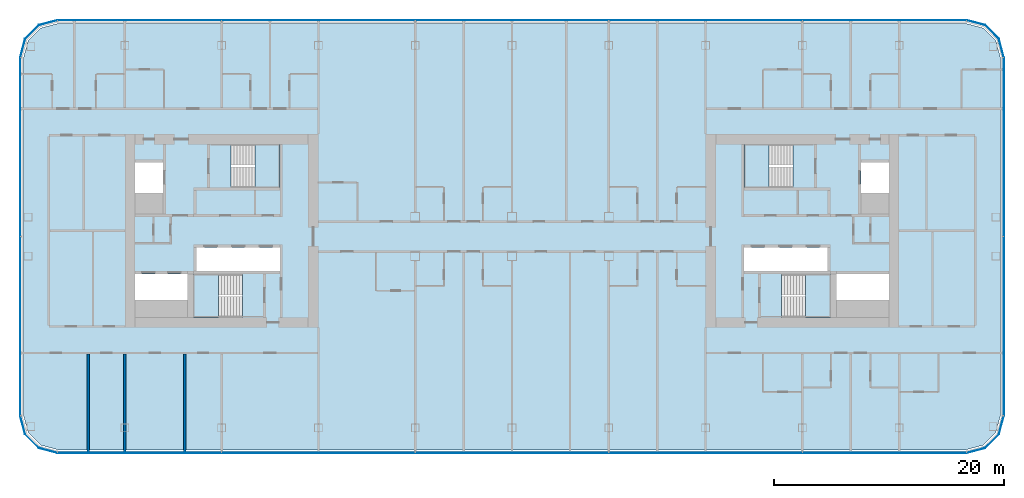
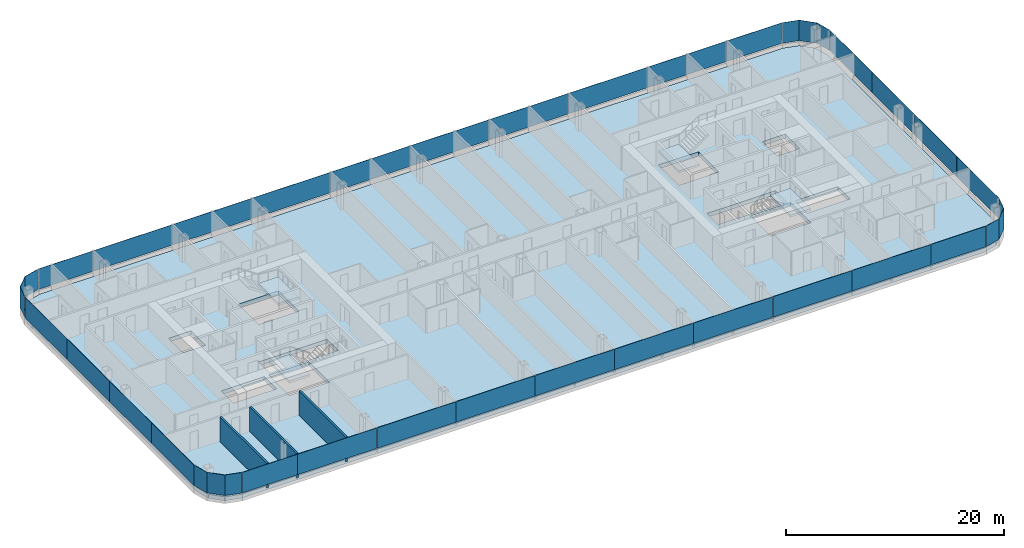
# One storey, part 11 of 26: 32 plates, 5 slabs, 3 walls, 12 elements without a shape of their own.
"""IFC4 building model written with IfcOpenShell, lengths in metres."""

from ifc_helpers import new_model, si_unit, direction, frame, frame_2d, origin, origin_2d, place, context, subcontext, project, spatial, polyline, rectangle, outline, extrude, material, layer, layer_set, type_object, element, aggregate, save


model = new_model("IFC4")

# Units and contexts
model_context = context("Model", 3, precision=1e-05, world=origin(), true_north=direction((0.0, 1.0)))
body_context = subcontext(model_context, "Body", "Model", "MODEL_VIEW")
ifc_project = project(units=[si_unit("LENGTHUNIT", "METRE"), si_unit("AREAUNIT", "SQUARE_METRE"), si_unit("VOLUMEUNIT", "CUBIC_METRE"), si_unit("PLANEANGLEUNIT", "RADIAN"), si_unit("MASSUNIT", "GRAM", prefix="KILO")], contexts=[model_context])

# Site, building, storey
site_placement = place(None, origin())
site = spatial("IfcSite", under=ifc_project, at=site_placement, CompositionType="ELEMENT")
building_placement = place(site_placement, origin())
building = spatial("IfcBuilding", under=site, at=building_placement, Name="Hakoniwa Tower and Hamabe Station Hall", CompositionType="ELEMENT")
storey_placement = place(building_placement, frame((0.0, 0.0, 153.39990234375)))
storey = spatial("IfcBuildingStorey", under=building, at=storey_placement, Name="L43", CompositionType="ELEMENT", Elevation=153.39990234375)

# Stair, slab
ifc_material_1 = material(Name="Concrete C40", Category="concrete")
stair_type = type_object("IfcStairType", Name="ESCAPE STAIR 1800", PredefinedType="HALF_TURN_STAIR", material=ifc_material_1)
stair_1_placement = place(storey_placement, origin())
stair_1 = element("IfcStair", 1, at=stair_1_placement, inside=storey, type_object=stair_type, Name="Escape stair ST-1 L43", PredefinedType="HALF_TURN_STAIR")
ifc_material_2 = material(Name="Concrete C40", Category="concrete")
ifc_layer_1 = layer(ifc_material_2, 0.25)
ifc_layer_set_1 = layer_set([ifc_layer_1], Name="CORE STAIR LANDING 250")
slab_type_1 = type_object("IfcSlabType", Name="CORE STAIR LANDING 250", PredefinedType="LANDING", material=ifc_layer_set_1)
slab_1_placement = place(storey_placement, frame((0.0, 0.0, 1.35009765625)))
slab_1 = element("IfcSlab", 2, at=slab_1_placement, type_object=slab_type_1, Name="ST-1 landing 1", PredefinedType="LANDING", context=body_context, shape_type="SweptSolid", body=[
    extrude(outline(polyline([(-22.320068359375, 3.75), (-20.14990234375, 3.75), (-20.14990234375, 7.5), (-22.320068359375, 7.5), (-22.320068359375, 3.75)])), origin(), (0.0, 0.0, 1.0), 0.25),
])
aggregate(stair_1, [slab_1])

stair_2_placement = place(storey_placement, origin())
stair_2 = element("IfcStair", 3, at=stair_2_placement, inside=storey, type_object=stair_type, Name="Escape stair ST-2 L43", PredefinedType="HALF_TURN_STAIR")
slab_2_placement = place(storey_placement, frame((0.0, 0.0, 1.35009765625)))
slab_2 = element("IfcSlab", 4, at=slab_2_placement, type_object=slab_type_1, Name="ST-2 landing 1", PredefinedType="LANDING", context=body_context, shape_type="SweptSolid", body=[
    extrude(outline(polyline([(-25.47998046875, -7.5), (-27.64990234375, -7.5), (-27.64990234375, -3.75), (-25.47998046875, -3.75), (-25.47998046875, -7.5)])), origin(), (0.0, 0.0, 1.0), 0.25),
])
aggregate(stair_2, [slab_2])

stair_3_placement = place(storey_placement, origin())
stair_3 = element("IfcStair", 5, at=stair_3_placement, inside=storey, type_object=stair_type, Name="Escape stair ST-3 L43", PredefinedType="HALF_TURN_STAIR")
slab_3_placement = place(storey_placement, frame((0.0, 0.0, 1.35009765625)))
slab_3 = element("IfcSlab", 6, at=slab_3_placement, type_object=slab_type_1, Name="ST-3 landing 1", PredefinedType="LANDING", context=body_context, shape_type="SweptSolid", body=[
    extrude(outline(polyline([(22.320068359375, 3.75), (20.14990234375, 3.75), (20.14990234375, 7.5), (22.320068359375, 7.5), (22.320068359375, 3.75)])), origin(), (0.0, 0.0, 1.0), 0.25),
])
aggregate(stair_3, [slab_3])

stair_4_placement = place(storey_placement, origin())
stair_4 = element("IfcStair", 7, at=stair_4_placement, inside=storey, type_object=stair_type, Name="Escape stair ST-4 L43", PredefinedType="HALF_TURN_STAIR")
slab_4_placement = place(storey_placement, frame((0.0, 0.0, 1.35009765625)))
slab_4 = element("IfcSlab", 8, at=slab_4_placement, type_object=slab_type_1, Name="ST-4 landing 1", PredefinedType="LANDING", context=body_context, shape_type="SweptSolid", body=[
    extrude(outline(polyline([(25.47998046875, -7.5), (27.64990234375, -7.5), (27.64990234375, -3.75), (25.47998046875, -3.75), (25.47998046875, -7.5)])), origin(), (0.0, 0.0, 1.0), 0.25),
])
aggregate(stair_4, [slab_4])

# Curtain wall, plates
ifc_material_3 = material(Name="Dark low-e laminated glass", Category="glass")
ifc_layer_2 = layer(ifc_material_3, 0.199951171875)
ifc_layer_set_2 = layer_set([ifc_layer_2], Name="CW-1 UNITISED GUEST")
curtain_wall_type = type_object("IfcCurtainWallType", Name="CW-1 UNITISED GUEST", PredefinedType="NOTDEFINED", material=ifc_layer_set_2)
curtain_wall_1_placement = place(storey_placement, origin())
curtain_wall_1 = element("IfcCurtainWall", 9, at=curtain_wall_1_placement, inside=storey, type_object=curtain_wall_type, Name="CW-1 curtain wall", PredefinedType="NOTDEFINED")
ifc_material_4 = material(Name="Dark low-e laminated glass", Category="glass")
ifc_layer_3 = layer(ifc_material_4, 0.028076171875)
ifc_layer_set_3 = layer_set([ifc_layer_3], Name="CW-1 GLASS UNIT")
plate_type = type_object("IfcPlateType", Name="CW-1 GLASS UNIT", PredefinedType="CURTAIN_PANEL", material=ifc_layer_set_3)
plate_1_placement = place(storey_placement, frame((42.68603515625, -12.154541015625, 0.35009765625), z_axis=(0.0, 0.0, 1.0), x_axis=(0.0, 1.0, 0.0)))
plate_1 = element("IfcPlate", 10, at=plate_1_placement, type_object=plate_type, Name="CW-1 glass unit", PredefinedType="CURTAIN_PANEL", context=body_context, shape_type="SweptSolid", body=[
    extrude(rectangle(XDim=7.749755859375, YDim=0.028076171875, at=origin_2d()), origin(), (0.0, 0.0, 1.0), 2.300048828125),
])
plate_2_placement = place(storey_placement, frame((42.68603515625, -4.384765625, 0.35009765625), z_axis=(0.0, 0.0, 1.0), x_axis=(0.0, 1.0, 0.0)))
plate_2 = element("IfcPlate", 11, at=plate_2_placement, type_object=plate_type, Name="CW-1 glass unit", PredefinedType="CURTAIN_PANEL", context=body_context, shape_type="SweptSolid", body=[
    extrude(rectangle(XDim=7.749755859375, YDim=0.028076171875, at=origin_2d()), origin(), (0.0, 0.0, 1.0), 2.300048828125),
])
plate_3_placement = place(storey_placement, frame((42.68603515625, 3.384765625, 0.35009765625), z_axis=(0.0, 0.0, 1.0), x_axis=(0.0, 1.0, 0.0)))
plate_3 = element("IfcPlate", 12, at=plate_3_placement, type_object=plate_type, Name="CW-1 glass unit", PredefinedType="CURTAIN_PANEL", context=body_context, shape_type="SweptSolid", body=[
    extrude(rectangle(XDim=7.749755859375, YDim=0.028076171875, at=origin_2d()), origin(), (0.0, 0.0, 1.0), 2.300048828125),
])
plate_4_placement = place(storey_placement, frame((42.68603515625, 11.154541015625, 0.35009765625), z_axis=(0.0, 0.0, 1.0), x_axis=(0.0, 1.0, 0.0)))
plate_4 = element("IfcPlate", 13, at=plate_4_placement, type_object=plate_type, Name="CW-1 glass unit", PredefinedType="CURTAIN_PANEL", context=body_context, shape_type="SweptSolid", body=[
    extrude(rectangle(XDim=7.749755859375, YDim=0.028076171875, at=origin_2d()), origin(), (0.0, 0.0, 1.0), 2.300048828125),
])
aggregate(curtain_wall_1, [plate_1, plate_2, plate_3, plate_4])

# Curtain wall, plate
curtain_wall_2_placement = place(storey_placement, origin())
curtain_wall_2 = element("IfcCurtainWall", 14, at=curtain_wall_2_placement, inside=storey, type_object=curtain_wall_type, Name="CW-1 curtain wall", PredefinedType="NOTDEFINED")
plate_5_placement = place(storey_placement, frame((0.0, 0.0, 0.35009765625)))
plate_5 = element("IfcPlate", 15, at=plate_5_placement, type_object=plate_type, Name="CW-1 curved corner unit", PredefinedType="CURTAIN_PANEL", context=body_context, shape_type="SweptSolid", body=[
    extrude(outline(polyline([(42.689697265625, 15.078125), (42.26708984375, 16.6552734375), (41.05517578125, 17.866943359375), (39.47802734375, 18.28955078125), (39.470947265625, 18.2626953125), (41.040771484375, 17.842041015625), (42.241943359375, 16.640869140625), (42.66259765625, 15.07080078125), (42.689697265625, 15.078125)])), origin(), (0.0, 0.0, 1.0), 2.300048828125),
])
aggregate(curtain_wall_2, [plate_5])

# Curtain wall, plates
curtain_wall_3_placement = place(storey_placement, origin())
curtain_wall_3 = element("IfcCurtainWall", 16, at=curtain_wall_3_placement, inside=storey, type_object=curtain_wall_type, Name="CW-1 curtain wall", PredefinedType="NOTDEFINED")
plate_6_placement = place(storey_placement, frame((36.519775390625, 18.285888671875, 0.35009765625), z_axis=(0.0, 0.0, 1.0), x_axis=(-1.0, 0.0, 0.0)))
plate_6 = element("IfcPlate", 17, at=plate_6_placement, type_object=plate_type, Name="CW-1 glass unit", PredefinedType="CURTAIN_PANEL", context=body_context, shape_type="SweptSolid", body=[
    extrude(rectangle(XDim=5.819580078125, YDim=0.028076171875, at=origin_2d()), origin(), (0.0, 0.0, 1.0), 2.300048828125),
])
plate_7_placement = place(storey_placement, frame((29.39990234375, 18.285888671875, 0.35009765625), z_axis=(0.0, 0.0, 1.0), x_axis=(-1.0, 0.0, 0.0)))
plate_7 = element("IfcPlate", 18, at=plate_7_placement, type_object=plate_type, Name="CW-1 glass unit", PredefinedType="CURTAIN_PANEL", context=body_context, shape_type="SweptSolid", body=[
    extrude(rectangle(XDim=8.3798828125, YDim=0.028076171875, at=origin_2d()), origin(), (0.0, 0.0, 1.0), 2.300048828125),
])
plate_8_placement = place(storey_placement, frame((21.0, 18.285888671875, 0.35009765625), z_axis=(0.0, 0.0, 1.0), x_axis=(-1.0, 0.0, 0.0)))
plate_8 = element("IfcPlate", 19, at=plate_8_placement, type_object=plate_type, Name="CW-1 glass unit", PredefinedType="CURTAIN_PANEL", context=body_context, shape_type="SweptSolid", body=[
    extrude(rectangle(XDim=8.3798828125, YDim=0.028076171875, at=origin_2d()), origin(), (0.0, 0.0, 1.0), 2.300048828125),
])
plate_9_placement = place(storey_placement, frame((12.60009765625, 18.285888671875, 0.35009765625), z_axis=(0.0, 0.0, 1.0), x_axis=(-1.0, 0.0, 0.0)))
plate_9 = element("IfcPlate", 20, at=plate_9_placement, type_object=plate_type, Name="CW-1 glass unit", PredefinedType="CURTAIN_PANEL", context=body_context, shape_type="SweptSolid", body=[
    extrude(rectangle(XDim=8.3798828125, YDim=0.028076171875, at=origin_2d()), origin(), (0.0, 0.0, 1.0), 2.300048828125),
])
plate_10_placement = place(storey_placement, frame((4.199951171875, 18.285888671875, 0.35009765625), z_axis=(0.0, 0.0, 1.0), x_axis=(-1.0, 0.0, 0.0)))
plate_10 = element("IfcPlate", 21, at=plate_10_placement, type_object=plate_type, Name="CW-1 glass unit", PredefinedType="CURTAIN_PANEL", context=body_context, shape_type="SweptSolid", body=[
    extrude(rectangle(XDim=8.3798828125, YDim=0.028076171875, at=origin_2d()), origin(), (0.0, 0.0, 1.0), 2.300048828125),
])
plate_11_placement = place(storey_placement, frame((-4.199951171875, 18.285888671875, 0.35009765625), z_axis=(0.0, 0.0, 1.0), x_axis=(-1.0, 0.0, 0.0)))
plate_11 = element("IfcPlate", 22, at=plate_11_placement, type_object=plate_type, Name="CW-1 glass unit", PredefinedType="CURTAIN_PANEL", context=body_context, shape_type="SweptSolid", body=[
    extrude(rectangle(XDim=8.3798828125, YDim=0.028076171875, at=origin_2d()), origin(), (0.0, 0.0, 1.0), 2.300048828125),
])
plate_12_placement = place(storey_placement, frame((-12.60009765625, 18.285888671875, 0.35009765625), z_axis=(0.0, 0.0, 1.0), x_axis=(-1.0, 0.0, 0.0)))
plate_12 = element("IfcPlate", 23, at=plate_12_placement, type_object=plate_type, Name="CW-1 glass unit", PredefinedType="CURTAIN_PANEL", context=body_context, shape_type="SweptSolid", body=[
    extrude(rectangle(XDim=8.3798828125, YDim=0.028076171875, at=origin_2d()), origin(), (0.0, 0.0, 1.0), 2.300048828125),
])
plate_13_placement = place(storey_placement, frame((-21.0, 18.285888671875, 0.35009765625), z_axis=(0.0, 0.0, 1.0), x_axis=(-1.0, 0.0, 0.0)))
plate_13 = element("IfcPlate", 24, at=plate_13_placement, type_object=plate_type, Name="CW-1 glass unit", PredefinedType="CURTAIN_PANEL", context=body_context, shape_type="SweptSolid", body=[
    extrude(rectangle(XDim=8.3798828125, YDim=0.028076171875, at=origin_2d()), origin(), (0.0, 0.0, 1.0), 2.300048828125),
])
plate_14_placement = place(storey_placement, frame((-29.39990234375, 18.285888671875, 0.35009765625), z_axis=(0.0, 0.0, 1.0), x_axis=(-1.0, 0.0, 0.0)))
plate_14 = element("IfcPlate", 25, at=plate_14_placement, type_object=plate_type, Name="CW-1 glass unit", PredefinedType="CURTAIN_PANEL", context=body_context, shape_type="SweptSolid", body=[
    extrude(rectangle(XDim=8.3798828125, YDim=0.028076171875, at=origin_2d()), origin(), (0.0, 0.0, 1.0), 2.300048828125),
])
plate_15_placement = place(storey_placement, frame((-36.519775390625, 18.285888671875, 0.35009765625), z_axis=(0.0, 0.0, 1.0), x_axis=(-1.0, 0.0, 0.0)))
plate_15 = element("IfcPlate", 26, at=plate_15_placement, type_object=plate_type, Name="CW-1 glass unit", PredefinedType="CURTAIN_PANEL", context=body_context, shape_type="SweptSolid", body=[
    extrude(rectangle(XDim=5.819580078125, YDim=0.028076171875, at=origin_2d()), origin(), (0.0, 0.0, 1.0), 2.300048828125),
])
aggregate(curtain_wall_3, [plate_6, plate_7, plate_8, plate_9, plate_10, plate_11, plate_12, plate_13, plate_14, plate_15])

# Curtain wall, plate
curtain_wall_4_placement = place(storey_placement, origin())
curtain_wall_4 = element("IfcCurtainWall", 27, at=curtain_wall_4_placement, inside=storey, type_object=curtain_wall_type, Name="CW-1 curtain wall", PredefinedType="NOTDEFINED")
plate_16_placement = place(storey_placement, frame((0.0, 0.0, 0.35009765625)))
plate_16 = element("IfcPlate", 28, at=plate_16_placement, type_object=plate_type, Name="CW-1 curved corner unit", PredefinedType="CURTAIN_PANEL", context=body_context, shape_type="SweptSolid", body=[
    extrude(outline(polyline([(-39.47802734375, 18.28955078125), (-41.05517578125, 17.866943359375), (-42.26708984375, 16.6552734375), (-42.689697265625, 15.078125), (-42.66259765625, 15.07080078125), (-42.241943359375, 16.640869140625), (-41.040771484375, 17.842041015625), (-39.470947265625, 18.2626953125), (-39.47802734375, 18.28955078125)])), origin(), (0.0, 0.0, 1.0), 2.300048828125),
])
aggregate(curtain_wall_4, [plate_16])

# Curtain wall, plates
curtain_wall_5_placement = place(storey_placement, origin())
curtain_wall_5 = element("IfcCurtainWall", 29, at=curtain_wall_5_placement, inside=storey, type_object=curtain_wall_type, Name="CW-1 curtain wall", PredefinedType="NOTDEFINED")
plate_17_placement = place(storey_placement, frame((-42.68603515625, 11.154541015625, 0.35009765625), z_axis=(0.0, 0.0, 1.0), x_axis=(0.0, -1.0, 0.0)))
plate_17 = element("IfcPlate", 30, at=plate_17_placement, type_object=plate_type, Name="CW-1 glass unit", PredefinedType="CURTAIN_PANEL", context=body_context, shape_type="SweptSolid", body=[
    extrude(rectangle(XDim=7.749755859375, YDim=0.028076171875, at=origin_2d()), origin(), (0.0, 0.0, 1.0), 2.300048828125),
])
plate_18_placement = place(storey_placement, frame((-42.68603515625, 3.384765625, 0.35009765625), z_axis=(0.0, 0.0, 1.0), x_axis=(0.0, -1.0, 0.0)))
plate_18 = element("IfcPlate", 31, at=plate_18_placement, type_object=plate_type, Name="CW-1 glass unit", PredefinedType="CURTAIN_PANEL", context=body_context, shape_type="SweptSolid", body=[
    extrude(rectangle(XDim=7.749755859375, YDim=0.028076171875, at=origin_2d()), origin(), (0.0, 0.0, 1.0), 2.300048828125),
])
plate_19_placement = place(storey_placement, frame((-42.68603515625, -4.384765625, 0.35009765625), z_axis=(0.0, 0.0, 1.0), x_axis=(0.0, -1.0, 0.0)))
plate_19 = element("IfcPlate", 32, at=plate_19_placement, type_object=plate_type, Name="CW-1 glass unit", PredefinedType="CURTAIN_PANEL", context=body_context, shape_type="SweptSolid", body=[
    extrude(rectangle(XDim=7.749755859375, YDim=0.028076171875, at=origin_2d()), origin(), (0.0, 0.0, 1.0), 2.300048828125),
])
plate_20_placement = place(storey_placement, frame((-42.68603515625, -12.154541015625, 0.35009765625), z_axis=(0.0, 0.0, 1.0), x_axis=(0.0, -1.0, 0.0)))
plate_20 = element("IfcPlate", 33, at=plate_20_placement, type_object=plate_type, Name="CW-1 glass unit", PredefinedType="CURTAIN_PANEL", context=body_context, shape_type="SweptSolid", body=[
    extrude(rectangle(XDim=7.749755859375, YDim=0.028076171875, at=origin_2d()), origin(), (0.0, 0.0, 1.0), 2.300048828125),
])
aggregate(curtain_wall_5, [plate_17, plate_18, plate_19, plate_20])

# Curtain wall, plate
curtain_wall_6_placement = place(storey_placement, origin())
curtain_wall_6 = element("IfcCurtainWall", 34, at=curtain_wall_6_placement, inside=storey, type_object=curtain_wall_type, Name="CW-1 curtain wall", PredefinedType="NOTDEFINED")
plate_21_placement = place(storey_placement, frame((0.0, 0.0, 0.35009765625)))
plate_21 = element("IfcPlate", 35, at=plate_21_placement, type_object=plate_type, Name="CW-1 curved corner unit", PredefinedType="CURTAIN_PANEL", context=body_context, shape_type="SweptSolid", body=[
    extrude(outline(polyline([(-42.689697265625, -16.078125), (-42.26708984375, -17.6552734375), (-41.05517578125, -18.866943359375), (-39.47802734375, -19.28955078125), (-39.470947265625, -19.2626953125), (-41.040771484375, -18.842041015625), (-42.241943359375, -17.640869140625), (-42.66259765625, -16.07080078125), (-42.689697265625, -16.078125)])), origin(), (0.0, 0.0, 1.0), 2.300048828125),
])
aggregate(curtain_wall_6, [plate_21])

# Curtain wall, plates
curtain_wall_7_placement = place(storey_placement, origin())
curtain_wall_7 = element("IfcCurtainWall", 36, at=curtain_wall_7_placement, inside=storey, type_object=curtain_wall_type, Name="CW-1 curtain wall", PredefinedType="NOTDEFINED")
plate_22_placement = place(storey_placement, frame((-36.519775390625, -19.285888671875, 0.35009765625), z_axis=(0.0, 0.0, 1.0), x_axis=(1.0, 0.0, 0.0)))
plate_22 = element("IfcPlate", 37, at=plate_22_placement, type_object=plate_type, Name="CW-1 glass unit", PredefinedType="CURTAIN_PANEL", context=body_context, shape_type="SweptSolid", body=[
    extrude(rectangle(XDim=5.819580078125, YDim=0.028076171875, at=origin_2d()), origin(), (0.0, 0.0, 1.0), 2.300048828125),
])
plate_23_placement = place(storey_placement, frame((-29.39990234375, -19.285888671875, 0.35009765625), z_axis=(0.0, 0.0, 1.0), x_axis=(1.0, 0.0, 0.0)))
plate_23 = element("IfcPlate", 38, at=plate_23_placement, type_object=plate_type, Name="CW-1 glass unit", PredefinedType="CURTAIN_PANEL", context=body_context, shape_type="SweptSolid", body=[
    extrude(rectangle(XDim=8.3798828125, YDim=0.028076171875, at=origin_2d()), origin(), (0.0, 0.0, 1.0), 2.300048828125),
])
plate_24_placement = place(storey_placement, frame((-21.0, -19.285888671875, 0.35009765625), z_axis=(0.0, 0.0, 1.0), x_axis=(1.0, 0.0, 0.0)))
plate_24 = element("IfcPlate", 39, at=plate_24_placement, type_object=plate_type, Name="CW-1 glass unit", PredefinedType="CURTAIN_PANEL", context=body_context, shape_type="SweptSolid", body=[
    extrude(rectangle(XDim=8.3798828125, YDim=0.028076171875, at=origin_2d()), origin(), (0.0, 0.0, 1.0), 2.300048828125),
])
plate_25_placement = place(storey_placement, frame((-12.60009765625, -19.285888671875, 0.35009765625), z_axis=(0.0, 0.0, 1.0), x_axis=(1.0, 0.0, 0.0)))
plate_25 = element("IfcPlate", 40, at=plate_25_placement, type_object=plate_type, Name="CW-1 glass unit", PredefinedType="CURTAIN_PANEL", context=body_context, shape_type="SweptSolid", body=[
    extrude(rectangle(XDim=8.3798828125, YDim=0.028076171875, at=origin_2d()), origin(), (0.0, 0.0, 1.0), 2.300048828125),
])
plate_26_placement = place(storey_placement, frame((-4.199951171875, -19.285888671875, 0.35009765625), z_axis=(0.0, 0.0, 1.0), x_axis=(1.0, 0.0, 0.0)))
plate_26 = element("IfcPlate", 41, at=plate_26_placement, type_object=plate_type, Name="CW-1 glass unit", PredefinedType="CURTAIN_PANEL", context=body_context, shape_type="SweptSolid", body=[
    extrude(rectangle(XDim=8.3798828125, YDim=0.028076171875, at=origin_2d()), origin(), (0.0, 0.0, 1.0), 2.300048828125),
])
plate_27_placement = place(storey_placement, frame((4.199951171875, -19.285888671875, 0.35009765625), z_axis=(0.0, 0.0, 1.0), x_axis=(1.0, 0.0, 0.0)))
plate_27 = element("IfcPlate", 42, at=plate_27_placement, type_object=plate_type, Name="CW-1 glass unit", PredefinedType="CURTAIN_PANEL", context=body_context, shape_type="SweptSolid", body=[
    extrude(rectangle(XDim=8.3798828125, YDim=0.028076171875, at=origin_2d()), origin(), (0.0, 0.0, 1.0), 2.300048828125),
])
plate_28_placement = place(storey_placement, frame((12.60009765625, -19.285888671875, 0.35009765625), z_axis=(0.0, 0.0, 1.0), x_axis=(1.0, 0.0, 0.0)))
plate_28 = element("IfcPlate", 43, at=plate_28_placement, type_object=plate_type, Name="CW-1 glass unit", PredefinedType="CURTAIN_PANEL", context=body_context, shape_type="SweptSolid", body=[
    extrude(rectangle(XDim=8.3798828125, YDim=0.028076171875, at=origin_2d()), origin(), (0.0, 0.0, 1.0), 2.300048828125),
])
plate_29_placement = place(storey_placement, frame((21.0, -19.285888671875, 0.35009765625), z_axis=(0.0, 0.0, 1.0), x_axis=(1.0, 0.0, 0.0)))
plate_29 = element("IfcPlate", 44, at=plate_29_placement, type_object=plate_type, Name="CW-1 glass unit", PredefinedType="CURTAIN_PANEL", context=body_context, shape_type="SweptSolid", body=[
    extrude(rectangle(XDim=8.3798828125, YDim=0.028076171875, at=origin_2d()), origin(), (0.0, 0.0, 1.0), 2.300048828125),
])
plate_30_placement = place(storey_placement, frame((29.39990234375, -19.285888671875, 0.35009765625), z_axis=(0.0, 0.0, 1.0), x_axis=(1.0, 0.0, 0.0)))
plate_30 = element("IfcPlate", 45, at=plate_30_placement, type_object=plate_type, Name="CW-1 glass unit", PredefinedType="CURTAIN_PANEL", context=body_context, shape_type="SweptSolid", body=[
    extrude(rectangle(XDim=8.3798828125, YDim=0.028076171875, at=origin_2d()), origin(), (0.0, 0.0, 1.0), 2.300048828125),
])
plate_31_placement = place(storey_placement, frame((36.519775390625, -19.285888671875, 0.35009765625), z_axis=(0.0, 0.0, 1.0), x_axis=(1.0, 0.0, 0.0)))
plate_31 = element("IfcPlate", 46, at=plate_31_placement, type_object=plate_type, Name="CW-1 glass unit", PredefinedType="CURTAIN_PANEL", context=body_context, shape_type="SweptSolid", body=[
    extrude(rectangle(XDim=5.819580078125, YDim=0.028076171875, at=origin_2d()), origin(), (0.0, 0.0, 1.0), 2.300048828125),
])
aggregate(curtain_wall_7, [plate_22, plate_23, plate_24, plate_25, plate_26, plate_27, plate_28, plate_29, plate_30, plate_31])

# Curtain wall, plate
curtain_wall_8_placement = place(storey_placement, origin())
curtain_wall_8 = element("IfcCurtainWall", 47, at=curtain_wall_8_placement, inside=storey, type_object=curtain_wall_type, Name="CW-1 curtain wall", PredefinedType="NOTDEFINED")
plate_32_placement = place(storey_placement, frame((0.0, 0.0, 0.35009765625)))
plate_32 = element("IfcPlate", 48, at=plate_32_placement, type_object=plate_type, Name="CW-1 curved corner unit", PredefinedType="CURTAIN_PANEL", context=body_context, shape_type="SweptSolid", body=[
    extrude(outline(polyline([(39.47802734375, -19.28955078125), (41.05517578125, -18.866943359375), (42.26708984375, -17.6552734375), (42.689697265625, -16.078125), (42.66259765625, -16.07080078125), (42.241943359375, -17.640869140625), (41.040771484375, -18.842041015625), (39.470947265625, -19.2626953125), (39.47802734375, -19.28955078125)])), origin(), (0.0, 0.0, 1.0), 2.300048828125),
])
aggregate(curtain_wall_8, [plate_32])

# Slab
ifc_material_5 = material(Name="Concrete C42", Category="concrete")
ifc_layer_4 = layer(ifc_material_5, 0.449951171875)
ifc_layer_set_4 = layer_set([ifc_layer_4], Name="PT FLAT PLATE 450")
slab_type_2 = type_object("IfcSlabType", Name="PT FLAT PLATE 450", PredefinedType="FLOOR", material=ifc_layer_set_4)
slab_5_placement = place(storey_placement, frame((0.0, 0.0, -0.449951171875)))
element("IfcSlab", 49, at=slab_5_placement, inside=storey, type_object=slab_type_2, Name="Floor slab L43", PredefinedType="FLOOR", context=body_context, shape_type="SweptSolid", body=[
    extrude(outline(polyline([(42.39990234375, -16.0), (42.39990234375, 15.0), (41.998046875, 16.5), (40.89990234375, 17.59814453125), (39.39990234375, 18.0), (-39.39990234375, 18.0), (-40.89990234375, 17.59814453125), (-41.998046875, 16.5), (-42.39990234375, 15.0), (-42.39990234375, -16.0), (-41.998046875, -17.5), (-40.89990234375, -18.59814453125), (-39.39990234375, -19.0), (39.39990234375, -19.0), (40.89990234375, -18.59814453125), (41.998046875, -17.5), (42.39990234375, -16.0)]), holes=[polyline([(-27.39990234375, -3.5), (-27.39990234375, -1.449951171875), (-20.14990234375, -1.449951171875), (-20.14990234375, -3.5), (-27.39990234375, -3.5)]), polyline([(-32.699951171875, 3.300048828125), (-32.699951171875, 5.949951171875), (-30.300048828125, 5.949951171875), (-30.300048828125, 3.300048828125), (-32.699951171875, 3.300048828125)]), polyline([(-32.699951171875, -6.0), (-32.699951171875, -3.75), (-28.14990234375, -3.75), (-28.14990234375, -6.0), (-32.699951171875, -6.0)]), polyline([(-24.389892578125, 3.75), (-24.389892578125, 7.5), (-20.14990234375, 7.5), (-20.14990234375, 3.75), (-24.389892578125, 3.75)]), polyline([(-27.64990234375, -7.5), (-27.64990234375, -3.75), (-23.409912109375, -3.75), (-23.409912109375, -7.5), (-27.64990234375, -7.5)]), polyline([(20.14990234375, -3.5), (20.14990234375, -1.449951171875), (27.39990234375, -1.449951171875), (27.39990234375, -3.5), (20.14990234375, -3.5)]), polyline([(30.300048828125, 3.300048828125), (30.300048828125, 5.949951171875), (32.699951171875, 5.949951171875), (32.699951171875, 3.300048828125), (30.300048828125, 3.300048828125)]), polyline([(28.14990234375, -6.0), (28.14990234375, -3.75), (32.699951171875, -3.75), (32.699951171875, -6.0), (28.14990234375, -6.0)]), polyline([(20.14990234375, 3.75), (20.14990234375, 7.5), (24.389892578125, 7.5), (24.389892578125, 3.75), (20.14990234375, 3.75)]), polyline([(23.409912109375, -7.5), (23.409912109375, -3.75), (27.64990234375, -3.75), (27.64990234375, -7.5), (23.409912109375, -7.5)])]), origin(), (0.0, 0.0, 1.0), 0.449951171875),
])

# Walls
ifc_material_6 = material(Name="Fire-rated gypsum board partition", Category="gypsum")
ifc_layer_5 = layer(ifc_material_6, 0.199951171875)
ifc_layer_set_5 = layer_set([ifc_layer_5], Name="Party Wall 200")
wall_type = type_object("IfcWallType", Name="Party Wall 200", PredefinedType="PARTITIONING", material=ifc_layer_set_5)
for number, where, z_axis, x_axis, name in (
    (50, (-36.77001953125, -19.300048828125, 0.0), (0.0, 0.0, 1.0), (0.0, 1.0, 0.0), "GW-L43-040"),
    (51, (-33.60009765625, -19.300048828125, 0.0), (0.0, 0.0, 1.0), (0.0, 1.0, 0.0), "GW-L43-043"),
    (52, (-28.389892578125, -19.300048828125, 0.0), (0.0, 0.0, 1.0), (0.0, 1.0, 0.0), "GW-L43-046"),
):
    element("IfcWall", number, at=place(storey_placement, frame(where, z_axis=z_axis, x_axis=x_axis)), inside=storey, type_object=wall_type, Name=name, PredefinedType="PARTITIONING", context=body_context, shape_type="SweptSolid", body=[
        extrude(rectangle(XDim=8.60009765625, YDim=0.199951171875, at=frame_2d((4.300048828125, 0.0))), origin(), (0.0, 0.0, 1.0), 2.75),
    ])

save(model, "model.ifc")
